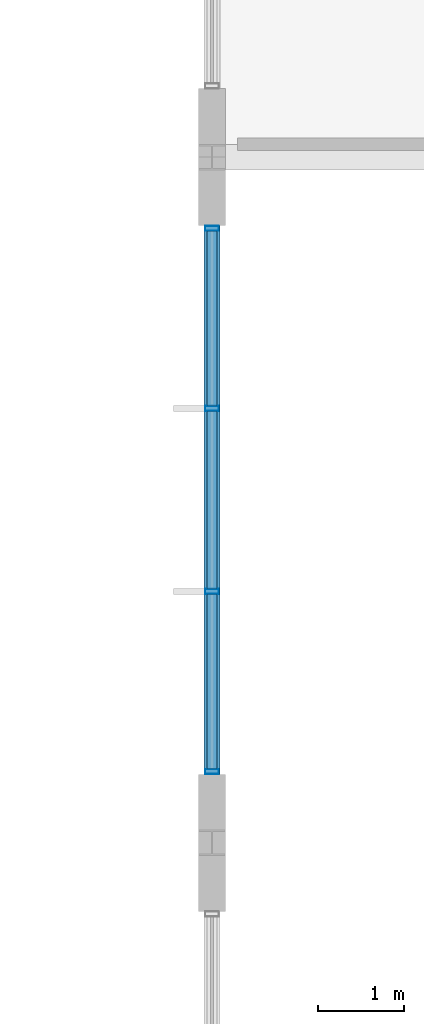
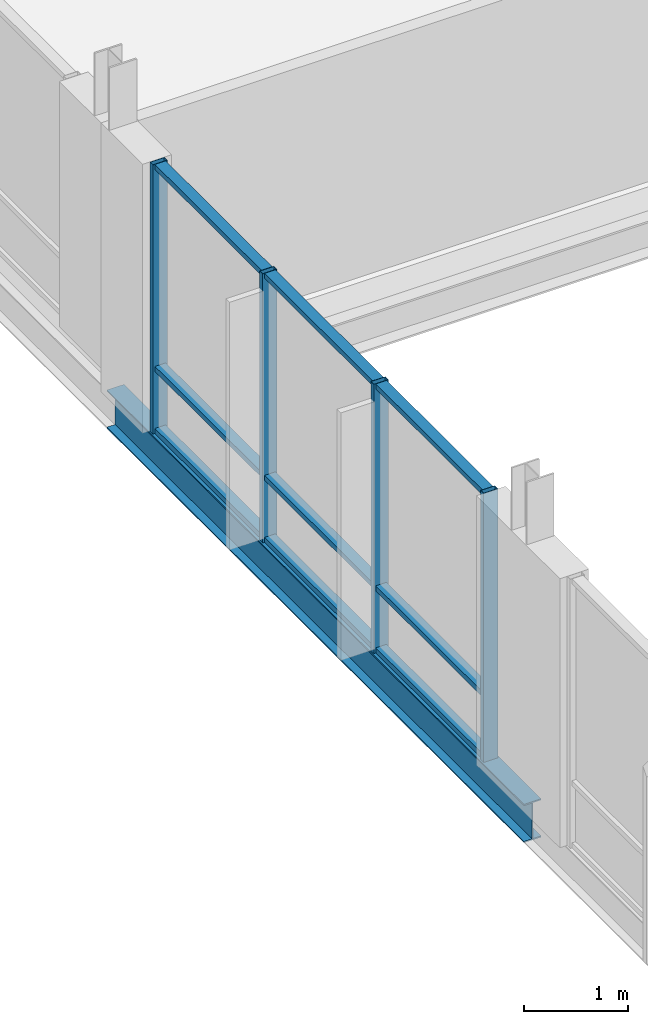
# One storey, part 112 of 189: 13 members, 1 beam, 1 element without a shape of its own.
"""IFC4 building model written with IfcOpenShell, lengths in metres."""

from ifc_helpers import new_model, si_unit, direction, frame, origin, origin_2d, place, context, subcontext, project, spatial, hollow_rectangle, i_section, extrude, material, material_profile, profile_set, type_object, element, aggregate, save


model = new_model("IFC4")

# Units and contexts
model_context = context("Model", 3, precision=1e-05, world=origin(), true_north=direction((0.0, 1.0)))
body_context = subcontext(model_context, "Body", "Model", "MODEL_VIEW")
ifc_project = project(units=[si_unit("LENGTHUNIT", "METRE"), si_unit("AREAUNIT", "SQUARE_METRE"), si_unit("VOLUMEUNIT", "CUBIC_METRE"), si_unit("PLANEANGLEUNIT", "RADIAN"), si_unit("MASSUNIT", "GRAM", prefix="KILO")], contexts=[model_context])

# Site, building, storey
site_placement = place(None, origin())
site = spatial("IfcSite", under=ifc_project, at=site_placement, CompositionType="ELEMENT")
building_placement = place(site_placement, origin())
building = spatial("IfcBuilding", under=site, at=building_placement, Name="Zavelmont Quarter", CompositionType="ELEMENT")
storey_placement = place(building_placement, frame((0.0, 0.0, 4.39990234375)))
storey = spatial("IfcBuildingStorey", under=building, at=storey_placement, Name="L01", CompositionType="ELEMENT", Elevation=4.39990234375)

# Beam
ifc_material_1 = material(Name="Steel S355", Category="steel")
ifc_material_profile_1 = material_profile(ifc_material_1, i_section(OverallWidth=0.18994140625, OverallDepth=0.449951171875, WebThickness=0.009521484375, FlangeThickness=0.0146484375, at=origin_2d()), Name="IPE 450")
ifc_profile_set_1 = profile_set([ifc_material_profile_1], Name="Steel S355")
beam_type = type_object("IfcBeamType", Name="BM12", PredefinedType="BEAM", material=ifc_profile_set_1)
beam_placement = place(storey_placement, frame((133.5, 46.0, -0.5048828125), z_axis=(0.0, 1.0, 0.0), x_axis=(-1.0, 0.0, 0.0)))
element("IfcBeam", 1, at=beam_placement, inside=storey, type_object=beam_type, Name="L01 beam BM12 20/H to 20/J", PredefinedType="BEAM", context=body_context, shape_type="SweptSolid", body=[
    extrude(i_section(OverallWidth=0.18994140625, OverallDepth=0.449951171875, WebThickness=0.009521484375, FlangeThickness=0.0146484375, at=origin_2d()), origin(), (0.0, 0.0, 1.0), 8.0),
])

# Curtain wall, members
ifc_material_2 = material(Name="Thermally broken aluminium and double low-E safety glazing", Category="aluminium")
curtain_wall_type = type_object("IfcCurtainWallType", Name="CW-640X315", PredefinedType="NOTDEFINED", material=ifc_material_2)
curtain_wall_placement = place(storey_placement, origin())
curtain_wall = element("IfcCurtainWall", 2, at=curtain_wall_placement, inside=storey, type_object=curtain_wall_type, Name="L01 unitised curtain wall CW-640X315", PredefinedType="NOTDEFINED")
ifc_material_3 = material(Name="Powder-coated aluminium EN AW-6063-T6", Category="aluminium")
ifc_material_profile_2 = material_profile(ifc_material_3, hollow_rectangle(XDim=0.06005859375, YDim=0.159912109375, WallThickness=0.00390625, at=origin_2d()), Name="CWM60X160")
ifc_profile_set_2 = profile_set([ifc_material_profile_2], Name="Powder-coated aluminium EN AW-6063-T6")
member_type_1 = type_object("IfcMemberType", Name="CWM01", PredefinedType="MULLION", material=ifc_profile_set_2)
member_1_placement = place(storey_placement, frame((133.5, 46.830078125, -0.27978515625), z_axis=(0.0, 0.0, 1.0), x_axis=(0.0, 1.0, 0.0)))
member_1 = element("IfcMember", 3, at=member_1_placement, type_object=member_type_1, Name="CW-640X315 mullion 1", PredefinedType="MULLION", context=body_context, shape_type="SweptSolid", body=[
    extrude(hollow_rectangle(XDim=0.06005859375, YDim=0.159912109375, WallThickness=0.00390625, at=origin_2d()), origin(), (0.0, 0.0, 1.0), 3.14990234375),
])
member_2_placement = place(storey_placement, frame((133.5, 48.933349609375, -0.27978515625), z_axis=(0.0, 0.0, 1.0), x_axis=(0.0, 1.0, 0.0)))
member_2 = element("IfcMember", 4, at=member_2_placement, type_object=member_type_1, Name="CW-640X315 mullion 2", PredefinedType="MULLION", context=body_context, shape_type="SweptSolid", body=[
    extrude(hollow_rectangle(XDim=0.06005859375, YDim=0.159912109375, WallThickness=0.00390625, at=origin_2d()), origin(), (0.0, 0.0, 1.0), 3.14990234375),
])
member_3_placement = place(storey_placement, frame((133.5, 51.066650390625, -0.27978515625), z_axis=(0.0, 0.0, 1.0), x_axis=(0.0, 1.0, 0.0)))
member_3 = element("IfcMember", 5, at=member_3_placement, type_object=member_type_1, Name="CW-640X315 mullion 3", PredefinedType="MULLION", context=body_context, shape_type="SweptSolid", body=[
    extrude(hollow_rectangle(XDim=0.06005859375, YDim=0.159912109375, WallThickness=0.00390625, at=origin_2d()), origin(), (0.0, 0.0, 1.0), 3.14990234375),
])
member_4_placement = place(storey_placement, frame((133.5, 53.169921875, -0.27978515625), z_axis=(0.0, 0.0, 1.0), x_axis=(0.0, 1.0, 0.0)))
member_4 = element("IfcMember", 6, at=member_4_placement, type_object=member_type_1, Name="CW-640X315 mullion 4", PredefinedType="MULLION", context=body_context, shape_type="SweptSolid", body=[
    extrude(hollow_rectangle(XDim=0.06005859375, YDim=0.159912109375, WallThickness=0.00390625, at=origin_2d()), origin(), (0.0, 0.0, 1.0), 3.14990234375),
])
ifc_material_profile_3 = material_profile(ifc_material_3, hollow_rectangle(XDim=0.1201171875, YDim=0.06005859375, WallThickness=0.00390625, at=origin_2d()), Name="CWT60X120")
ifc_profile_set_3 = profile_set([ifc_material_profile_3], Name="Powder-coated aluminium EN AW-6063-T6")
member_type_2 = type_object("IfcMemberType", Name="CWT01", PredefinedType="NOTDEFINED", material=ifc_profile_set_3)
member_5_placement = place(storey_placement, frame((133.5, 46.860107421875, -0.25), z_axis=(0.0, 1.0, 0.0), x_axis=(-1.0, 0.0, 0.0)))
member_5 = element("IfcMember", 7, at=member_5_placement, type_object=member_type_2, Name="CW-640X315 transom 1.1", ObjectType="TRANSOM", PredefinedType="USERDEFINED", context=body_context, shape_type="SweptSolid", body=[
    extrude(hollow_rectangle(XDim=0.1201171875, YDim=0.06005859375, WallThickness=0.00390625, at=origin_2d()), origin(), (0.0, 0.0, 1.0), 2.043212890625),
])
member_6_placement = place(storey_placement, frame((133.5, 46.860107421875, 0.47607421875), z_axis=(0.0, 1.0, 0.0), x_axis=(-1.0, 0.0, 0.0)))
member_6 = element("IfcMember", 8, at=member_6_placement, type_object=member_type_2, Name="CW-640X315 transom 1.2", ObjectType="TRANSOM", PredefinedType="USERDEFINED", context=body_context, shape_type="SweptSolid", body=[
    extrude(hollow_rectangle(XDim=0.1201171875, YDim=0.06005859375, WallThickness=0.00390625, at=origin_2d()), origin(), (0.0, 0.0, 1.0), 2.043212890625),
])
member_7_placement = place(storey_placement, frame((133.5, 46.860107421875, 2.840087890625), z_axis=(0.0, 1.0, 0.0), x_axis=(-1.0, 0.0, 0.0)))
member_7 = element("IfcMember", 9, at=member_7_placement, type_object=member_type_2, Name="CW-640X315 transom 1.3", ObjectType="TRANSOM", PredefinedType="USERDEFINED", context=body_context, shape_type="SweptSolid", body=[
    extrude(hollow_rectangle(XDim=0.1201171875, YDim=0.06005859375, WallThickness=0.00390625, at=origin_2d()), origin(), (0.0, 0.0, 1.0), 2.043212890625),
])
member_8_placement = place(storey_placement, frame((133.5, 48.96337890625, -0.25), z_axis=(0.0, 1.0, 0.0), x_axis=(-1.0, 0.0, 0.0)))
member_8 = element("IfcMember", 10, at=member_8_placement, type_object=member_type_2, Name="CW-640X315 transom 2.1", ObjectType="TRANSOM", PredefinedType="USERDEFINED", context=body_context, shape_type="SweptSolid", body=[
    extrude(hollow_rectangle(XDim=0.1201171875, YDim=0.06005859375, WallThickness=0.00390625, at=origin_2d()), origin(), (0.0, 0.0, 1.0), 2.0732421875),
])
member_9_placement = place(storey_placement, frame((133.5, 48.96337890625, 0.47607421875), z_axis=(0.0, 1.0, 0.0), x_axis=(-1.0, 0.0, 0.0)))
member_9 = element("IfcMember", 11, at=member_9_placement, type_object=member_type_2, Name="CW-640X315 transom 2.2", ObjectType="TRANSOM", PredefinedType="USERDEFINED", context=body_context, shape_type="SweptSolid", body=[
    extrude(hollow_rectangle(XDim=0.1201171875, YDim=0.06005859375, WallThickness=0.00390625, at=origin_2d()), origin(), (0.0, 0.0, 1.0), 2.0732421875),
])
member_10_placement = place(storey_placement, frame((133.5, 48.96337890625, 2.840087890625), z_axis=(0.0, 1.0, 0.0), x_axis=(-1.0, 0.0, 0.0)))
member_10 = element("IfcMember", 12, at=member_10_placement, type_object=member_type_2, Name="CW-640X315 transom 2.3", ObjectType="TRANSOM", PredefinedType="USERDEFINED", context=body_context, shape_type="SweptSolid", body=[
    extrude(hollow_rectangle(XDim=0.1201171875, YDim=0.06005859375, WallThickness=0.00390625, at=origin_2d()), origin(), (0.0, 0.0, 1.0), 2.0732421875),
])
member_11_placement = place(storey_placement, frame((133.5, 51.0966796875, -0.25), z_axis=(0.0, 1.0, 0.0), x_axis=(-1.0, 0.0, 0.0)))
member_11 = element("IfcMember", 13, at=member_11_placement, type_object=member_type_2, Name="CW-640X315 transom 3.1", ObjectType="TRANSOM", PredefinedType="USERDEFINED", context=body_context, shape_type="SweptSolid", body=[
    extrude(hollow_rectangle(XDim=0.1201171875, YDim=0.06005859375, WallThickness=0.00390625, at=origin_2d()), origin(), (0.0, 0.0, 1.0), 2.043212890625),
])
member_12_placement = place(storey_placement, frame((133.5, 51.0966796875, 0.47607421875), z_axis=(0.0, 1.0, 0.0), x_axis=(-1.0, 0.0, 0.0)))
member_12 = element("IfcMember", 14, at=member_12_placement, type_object=member_type_2, Name="CW-640X315 transom 3.2", ObjectType="TRANSOM", PredefinedType="USERDEFINED", context=body_context, shape_type="SweptSolid", body=[
    extrude(hollow_rectangle(XDim=0.1201171875, YDim=0.06005859375, WallThickness=0.00390625, at=origin_2d()), origin(), (0.0, 0.0, 1.0), 2.043212890625),
])
member_13_placement = place(storey_placement, frame((133.5, 51.0966796875, 2.840087890625), z_axis=(0.0, 1.0, 0.0), x_axis=(-1.0, 0.0, 0.0)))
member_13 = element("IfcMember", 15, at=member_13_placement, type_object=member_type_2, Name="CW-640X315 transom 3.3", ObjectType="TRANSOM", PredefinedType="USERDEFINED", context=body_context, shape_type="SweptSolid", body=[
    extrude(hollow_rectangle(XDim=0.1201171875, YDim=0.06005859375, WallThickness=0.00390625, at=origin_2d()), origin(), (0.0, 0.0, 1.0), 2.043212890625),
])
aggregate(curtain_wall, [member_1, member_2, member_3, member_4, member_5, member_6, member_7, member_8, member_9, member_10, member_11, member_12, member_13])

save(model, "model.ifc")
